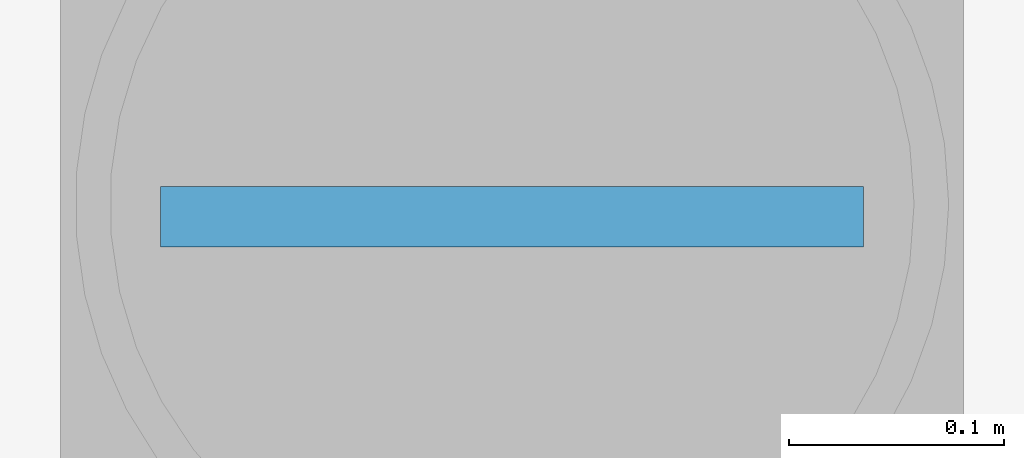
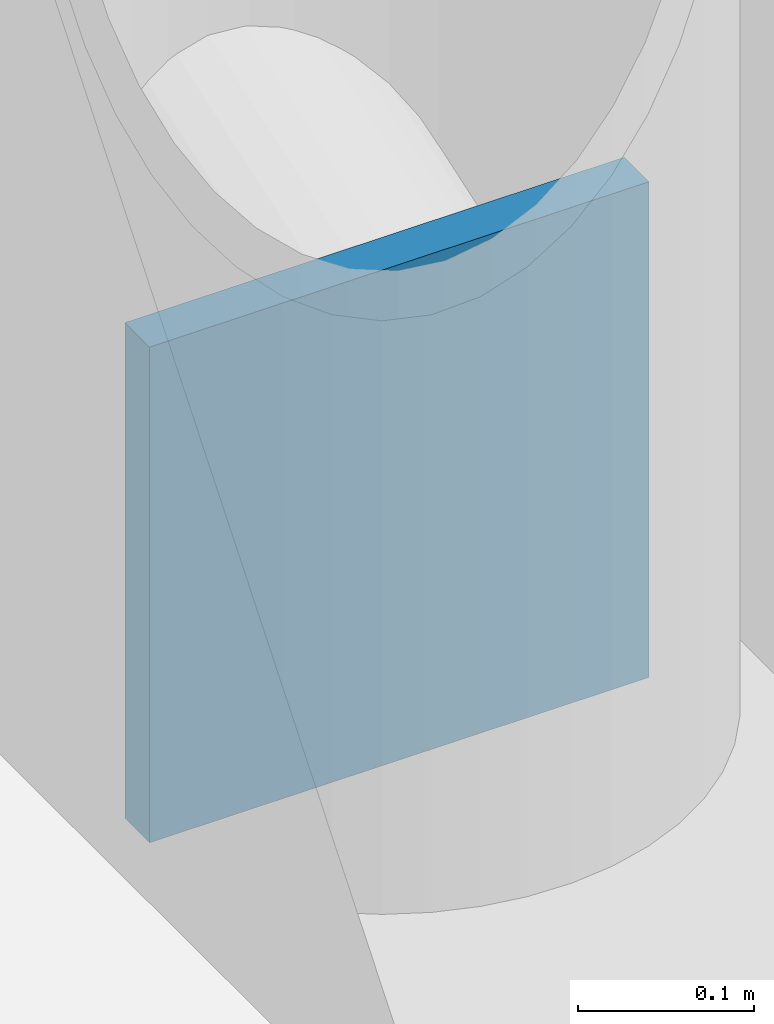
# One storey, part 20 of 34: 1 plate.
"""IFC4 building model written with IfcOpenShell, lengths in metres."""

import ifcopenshell
import ifcopenshell.guid

model = None  # the IFC model being written
_history = None  # IfcOwnerHistory: only IFC2X3 demands one
_inside = {}  # id of a spatial element -> (the spatial element, [elements in it])
_under = {}  # id of a project, library or spatial element -> (it, [spatial elements below it])
_declared = {}  # id of a project -> (the project, [libraries it declares])
_typed = {}  # id of a type object -> (the type object, [elements of that type])
_made_of = {}  # id of a material, layer set ... -> (it, [elements and type objects made of it])


def new_model(schema):
    """Start an empty IFC model of exactly this schema.

    Asked for "IFC4X3", IfcOpenShell would pick the latest addendum, in which some entities
    have other attributes; the version numbers below select the first issue.
    IFC2X3 requires an IfcOwnerHistory on every rooted entity: one is made here for all.
    """
    global model, _history
    if schema == "IFC4X3":
        model = ifcopenshell.file(schema_version=(4, 3, 0, 0))
    else:
        model = ifcopenshell.file(schema=schema)
    _inside.clear()
    _under.clear()
    _declared.clear()
    _typed.clear()
    _made_of.clear()
    _history = None
    if model.schema == "IFC2X3":
        org = make("IfcOrganization", Name="unknown")
        user = make(
            "IfcPersonAndOrganization",
            ThePerson=make("IfcPerson", FamilyName="unknown"),
            TheOrganization=org,
        )
        app = make(
            "IfcApplication",
            ApplicationDeveloper=org,
            Version="unknown",
            ApplicationFullName="unknown",
            ApplicationIdentifier="unknown",
        )
        _history = make(
            "IfcOwnerHistory",
            OwningUser=user,
            OwningApplication=app,
            ChangeAction="ADDED",
            CreationDate=0,
        )
    return model


def make(cls, **values):
    """One entity of the class cls with the attributes given. An attribute that is None is left unset."""
    return model.create_entity(
        cls, **{name: value for name, value in values.items() if value is not None}
    )


def rooted(cls, **values):
    """An entity with a GlobalId (a new one), such as an element, a storey or a relation."""
    return make(cls, GlobalId=ifcopenshell.guid.new(), OwnerHistory=_history, **values)


def si_unit(unit_type, name, prefix=None):
    """IfcSIUnit, for example si_unit("LENGTHUNIT", "METRE", prefix="MILLI")."""
    return make("IfcSIUnit", UnitType=unit_type, Prefix=prefix, Name=name)


def assignment(units):
    """IfcUnitAssignment: the units of a project."""
    return None if units is None else make("IfcUnitAssignment", Units=units)


def point(xyz):
    """IfcCartesianPoint."""
    return None if xyz is None else make("IfcCartesianPoint", Coordinates=xyz)


def direction(xyz):
    """IfcDirection."""
    return None if xyz is None else make("IfcDirection", DirectionRatios=xyz)


def frame(location, z_axis=None, x_axis=None):
    """IfcAxis2Placement3D, a coordinate frame: its origin and axes. An axis left out is left unset."""
    return make(
        "IfcAxis2Placement3D",
        Location=point(location),
        Axis=direction(z_axis),
        RefDirection=direction(x_axis),
    )


def frame_2d(location, x_axis=None):
    """IfcAxis2Placement2D, a coordinate frame in the plane: its origin and x axis."""
    return make(
        "IfcAxis2Placement2D", Location=point(location), RefDirection=direction(x_axis)
    )


def origin():
    """The frame at (0, 0, 0) with its axes left unset."""
    return frame((0.0, 0.0, 0.0))


def origin_2d():
    """The frame at (0, 0) in the plane with its x axis left unset."""
    return frame_2d((0.0, 0.0))


def place(relative_to, where):
    """IfcLocalPlacement: puts the frame where relative to a parent placement (None: the world)."""
    return make(
        "IfcLocalPlacement", PlacementRelTo=relative_to, RelativePlacement=where
    )


def context(
    kind, dimensions, precision=None, world=None, true_north=None, identifier=None
):
    """IfcGeometricRepresentationContext, for example the 3D "Model" context."""
    return make(
        "IfcGeometricRepresentationContext",
        ContextIdentifier=identifier,
        ContextType=kind,
        CoordinateSpaceDimension=dimensions,
        Precision=precision,
        WorldCoordinateSystem=world,
        TrueNorth=true_north,
    )


def subcontext(parent, identifier, kind, view, scale=None):
    """IfcGeometricRepresentationSubContext, for example "Body" below "Model"."""
    return make(
        "IfcGeometricRepresentationSubContext",
        ContextIdentifier=identifier,
        ContextType=kind,
        ParentContext=parent,
        TargetScale=scale,
        TargetView=view,
    )


def project(units=None, contexts=None):
    """IfcProject with its units and contexts."""
    return rooted(
        "IfcProject",
        Name="project",
        RepresentationContexts=contexts,
        UnitsInContext=assignment(units),
    )


def spatial(cls, under=None, at=None, **own):
    """A site, building, storey or space (cls), placed at a placement, below another one or the project."""
    s = rooted(cls, ObjectPlacement=at, **own)
    if under is not None:
        _under.setdefault(under.id(), (under, []))[1].append(s)
    return s


def profile(cls, at=None, kind="AREA", **sizes):
    """A parametric profile (cls). Its sizes go by their IFC names, for example OverallWidth=200.0."""
    return make(cls, ProfileType=kind, Position=at, **sizes)


def rectangle(**sizes):
    """IfcRectangleProfileDef."""
    return profile("IfcRectangleProfileDef", **sizes)


def extrude(swept, where, along, depth):
    """IfcExtrudedAreaSolid: the profile swept, set in the frame where, extruded along a direction by depth."""
    return make(
        "IfcExtrudedAreaSolid",
        SweptArea=swept,
        Position=where,
        ExtrudedDirection=direction(along),
        Depth=depth,
    )


def shape(context_of_items, identifier, shape_type, items):
    """IfcShapeRepresentation: the items that make up one representation, for example the "Body"."""
    return make(
        "IfcShapeRepresentation",
        ContextOfItems=context_of_items,
        RepresentationIdentifier=identifier,
        RepresentationType=shape_type,
        Items=items,
    )


def material(Name=None, Category=None):
    """IfcMaterial."""
    return make("IfcMaterial", Name=Name, Category=Category)


def layer(
    of_material, thickness, ventilated=None, Name=None, Category=None, Priority=None
):
    """IfcMaterialLayer: one layer of a wall or slab, of a material (None: an air gap)."""
    return make(
        "IfcMaterialLayer",
        Material=of_material,
        LayerThickness=thickness,
        IsVentilated=ventilated,
        Name=Name,
        Category=Category,
        Priority=Priority,
    )


def layer_set(layers, Name=None):
    """IfcMaterialLayerSet."""
    return make("IfcMaterialLayerSet", MaterialLayers=layers, LayerSetName=Name)


def made_of(thing, what):
    """Note that an element or type object is made of a material, layer set ...; save() writes the relation."""
    if what is not None:
        _made_of.setdefault(what.id(), (what, []))[1].append(thing)
    return thing


def type_object(cls, material=None, **own):
    """A type object (cls), such as IfcWallType, which elements share."""
    return made_of(rooted(cls, **own), material)


def element(
    cls,
    number,
    at=None,
    inside=None,
    cuts=None,
    type_object=None,
    material=None,
    context=None,
    identifier="Body",
    shape_type=None,
    held_by="IfcProductDefinitionShape",
    body=None,
    shapes=None,
    **own,
):
    """One element of the class cls, such as IfcWall. Its Tag is "e" and its number.

    at: its placement. inside: the storey or other place that contains it. cuts: it is an
    opening in that element (IfcRelVoidsElement). A single representation is given by context,
    identifier, shape_type and body (its items); several are given by shapes. held_by: the class
    of the entity that holds the representations. save() writes the other relations.
    """
    e = rooted(cls, Tag="e%d" % number, ObjectPlacement=at, **own)
    if body is not None:
        shapes = [shape(context, identifier, shape_type, body)]
    if shapes is not None:
        e.Representation = make(held_by, Representations=shapes)
    if inside is not None:
        _inside.setdefault(inside.id(), (inside, []))[1].append(e)
    if cuts is not None:
        rooted(
            "IfcRelVoidsElement", RelatingBuildingElement=cuts, RelatedOpeningElement=e
        )
    if type_object is not None:
        _typed.setdefault(type_object.id(), (type_object, []))[1].append(e)
    return made_of(e, material)


def aggregate(whole, parts):
    """IfcRelAggregates: a whole, such as a stair, and the parts it consists of."""
    return rooted("IfcRelAggregates", RelatingObject=whole, RelatedObjects=parts)


def save(model, path):
    """Write the relations noted so far, then the file.

    IfcRelAggregates (storeys below a building ...), IfcRelContainedInSpatialStructure (elements
    in a storey), IfcRelDefinesByType, IfcRelAssociatesMaterial and IfcRelDeclares: one each for
    every whole, place, type object, material and project.
    """
    for whole, parts in _under.values():
        aggregate(whole, parts)
    for where, things in _inside.values():
        rooted(
            "IfcRelContainedInSpatialStructure",
            RelatedElements=things,
            RelatingStructure=where,
        )
    for kind, things in _typed.values():
        rooted("IfcRelDefinesByType", RelatedObjects=things, RelatingType=kind)
    for what, things in _made_of.values():
        rooted("IfcRelAssociatesMaterial", RelatedObjects=things, RelatingMaterial=what)
    for by, libraries in _declared.values():
        rooted("IfcRelDeclares", RelatingContext=by, RelatedDefinitions=libraries)
    model.write(path)


model = new_model("IFC4")

# Units and contexts
model_context = context("Model", 3, precision=1e-05, world=origin(), true_north=direction((0.0, 1.0)))
body_context = subcontext(model_context, "Body", "Model", "MODEL_VIEW")
ifc_project = project(units=[si_unit("LENGTHUNIT", "METRE"), si_unit("AREAUNIT", "SQUARE_METRE"), si_unit("VOLUMEUNIT", "CUBIC_METRE"), si_unit("PLANEANGLEUNIT", "RADIAN"), si_unit("MASSUNIT", "GRAM", prefix="KILO")], contexts=[model_context])

# Site, building, storey
site_placement = place(None, origin())
site = spatial("IfcSite", under=ifc_project, at=site_placement, CompositionType="ELEMENT")
building_placement = place(site_placement, origin())
building = spatial("IfcBuilding", under=site, at=building_placement, Name="Larkvane Passage Sports Hall", CompositionType="ELEMENT")
storey_placement = place(building_placement, frame((0.0, 0.0, -4.800048828125)))
storey = spatial("IfcBuildingStorey", under=building, at=storey_placement, Name="B01", CompositionType="ELEMENT", Elevation=-4.800048828125)

# Plate
ifc_material = material(Name="Steel S355JR", Category="steel")
ifc_layer = layer(ifc_material, 0.011962890625)
ifc_layer_set = layer_set([ifc_layer], Name="Steel S355JR")
plate_type = type_object("IfcPlateType", Name="PLT-CAP-12", PredefinedType="SHEET", material=ifc_layer_set)
plate_placement = place(storey_placement, frame((93.60009765625, 51.59423828125, -0.0234375), z_axis=(0.0, 0.0, 1.0), x_axis=(-1.0, 0.0, 0.0)))
element("IfcPlate", 1, at=plate_placement, inside=storey, type_object=plate_type, Name="Hollow section sealed end cap plate 0570", PredefinedType="SHEET", context=body_context, shape_type="SweptSolid", body=[
    extrude(rectangle(XDim=0.326904296875, YDim=0.028076171875, at=origin_2d()), origin(), (0.0, 0.0, 1.0), 0.343017578125),
])

save(model, "model.ifc")
